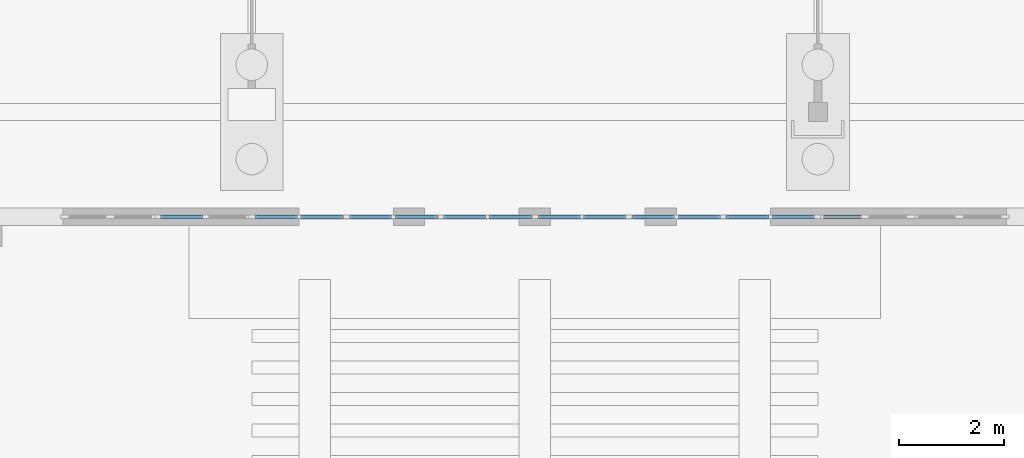
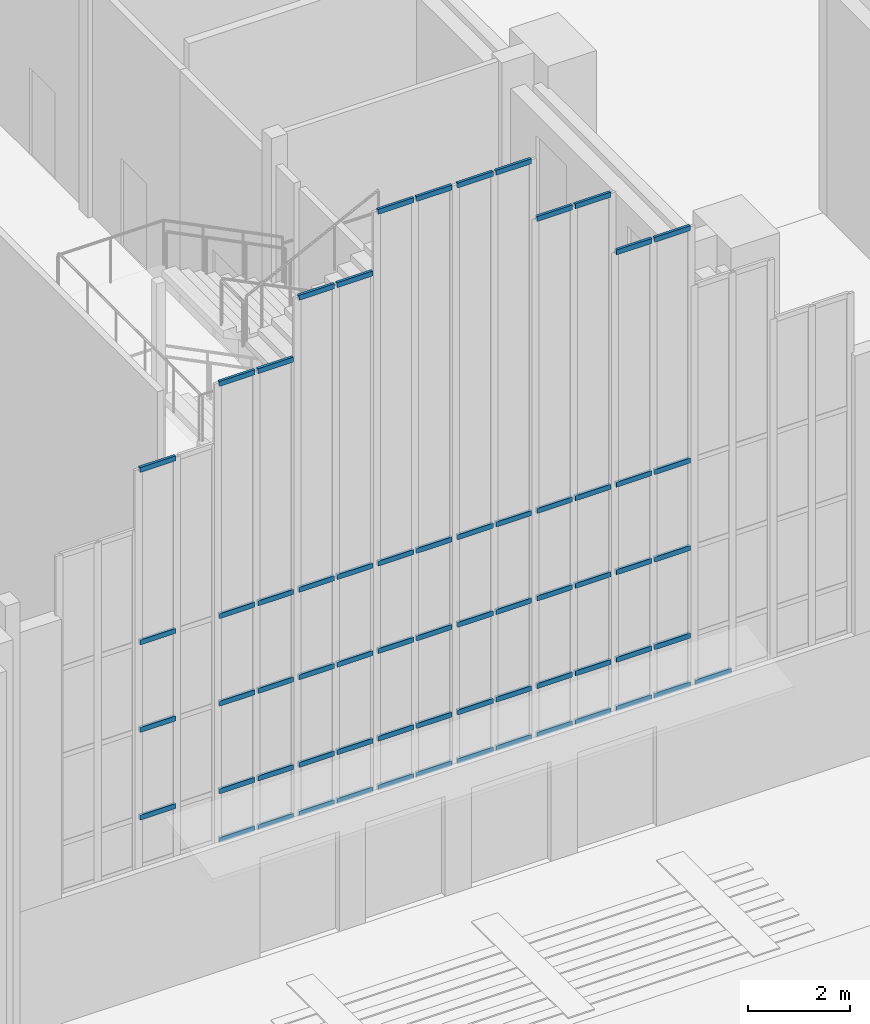
# One storey, part 17 of 84: 65 members, 8 elements without a shape of their own.
"""IFC4 building model written with IfcOpenShell, lengths in metres."""

from ifc_helpers import new_model, si_unit, direction, frame, origin, origin_2d, place, context, subcontext, project, spatial, rectangle, extrude, material, layer, layer_set, material_profile, profile_set, type_object, element, aggregate, save


model = new_model("IFC4")

# Units and contexts
model_context = context("Model", 3, precision=1e-05, world=origin(), true_north=direction((0.0, 1.0)))
body_context = subcontext(model_context, "Body", "Model", "MODEL_VIEW")
ifc_project = project(units=[si_unit("LENGTHUNIT", "METRE"), si_unit("AREAUNIT", "SQUARE_METRE"), si_unit("VOLUMEUNIT", "CUBIC_METRE"), si_unit("PLANEANGLEUNIT", "RADIAN"), si_unit("MASSUNIT", "GRAM", prefix="KILO")], contexts=[model_context])

# Site, building, storey
site_placement = place(None, origin())
site = spatial("IfcSite", under=ifc_project, at=site_placement, CompositionType="ELEMENT")
building_placement = place(site_placement, origin())
building = spatial("IfcBuilding", under=site, at=building_placement, Name="Mazhai Court Health Centre", CompositionType="ELEMENT")
storey_placement = place(building_placement, origin())
storey = spatial("IfcBuildingStorey", under=building, at=storey_placement, Name="L00", CompositionType="ELEMENT", Elevation=0.0)

# Curtain wall, members
ifc_material_1 = material(Name="Teak timber frame, glazed", Category="wood")
ifc_layer = layer(ifc_material_1, 0.10009765625)
ifc_layer_set = layer_set([ifc_layer], Name="CURTAIN WALL TIMBER 900")
curtain_wall_type = type_object("IfcCurtainWallType", Name="CURTAIN WALL TIMBER 900", PredefinedType="NOTDEFINED", material=ifc_layer_set)
curtain_wall_1_placement = place(storey_placement, origin())
curtain_wall_1 = element("IfcCurtainWall", 1, at=curtain_wall_1_placement, inside=storey, type_object=curtain_wall_type, Name="CW-V1-S02", PredefinedType="NOTDEFINED")
ifc_material_2 = material(Name="Teak timber", Category="wood")
ifc_material_profile = material_profile(ifc_material_2, rectangle(XDim=0.06005859375, YDim=0.1201171875, at=origin_2d()), Name="CW TRANSOM 60x120")
ifc_profile_set = profile_set([ifc_material_profile], Name="Teak timber")
member_type = type_object("IfcMemberType", Name="CW TRANSOM 60x120", PredefinedType="USERDEFINED", material=ifc_profile_set)
member_1_placement = place(storey_placement, frame((46.669921875, 11.39990234375, 4.199951171875), z_axis=(-1.0, 0.0, 0.0), x_axis=(0.0, -1.0, 0.0)))
member_1 = element("IfcMember", 2, at=member_1_placement, type_object=member_type, Name="CW transom 2.2", ObjectType="TRANSOM", PredefinedType="USERDEFINED", context=body_context, shape_type="SweptSolid", body=[
    extrude(rectangle(XDim=0.06005859375, YDim=0.1201171875, at=origin_2d()), origin(), (0.0, 0.0, 1.0), 0.809814453125),
])
member_2_placement = place(storey_placement, frame((46.669921875, 11.39990234375, 6.300048828125), z_axis=(-1.0, 0.0, 0.0), x_axis=(0.0, -1.0, 0.0)))
member_2 = element("IfcMember", 3, at=member_2_placement, type_object=member_type, Name="CW transom 2.3", ObjectType="TRANSOM", PredefinedType="USERDEFINED", context=body_context, shape_type="SweptSolid", body=[
    extrude(rectangle(XDim=0.06005859375, YDim=0.1201171875, at=origin_2d()), origin(), (0.0, 0.0, 1.0), 0.809814453125),
])
member_3_placement = place(storey_placement, frame((46.669921875, 11.39990234375, 8.39990234375), z_axis=(-1.0, 0.0, 0.0), x_axis=(0.0, -1.0, 0.0)))
member_3 = element("IfcMember", 4, at=member_3_placement, type_object=member_type, Name="CW transom 2.4", ObjectType="TRANSOM", PredefinedType="USERDEFINED", context=body_context, shape_type="SweptSolid", body=[
    extrude(rectangle(XDim=0.06005859375, YDim=0.1201171875, at=origin_2d()), origin(), (0.0, 0.0, 1.0), 0.809814453125),
])
member_4_placement = place(storey_placement, frame((46.669921875, 11.39990234375, 12.537109375), z_axis=(-1.0, 0.0, 0.0), x_axis=(0.0, -1.0, 0.0)))
member_4 = element("IfcMember", 5, at=member_4_placement, type_object=member_type, Name="CW transom 2.5", ObjectType="TRANSOM", PredefinedType="USERDEFINED", context=body_context, shape_type="SweptSolid", body=[
    extrude(rectangle(XDim=0.06005859375, YDim=0.1201171875, at=origin_2d()), origin(), (0.0, 0.0, 1.0), 0.809814453125),
])
aggregate(curtain_wall_1, [member_1, member_2, member_3, member_4])

curtain_wall_2_placement = place(storey_placement, origin())
curtain_wall_2 = element("IfcCurtainWall", 6, at=curtain_wall_2_placement, inside=storey, type_object=curtain_wall_type, Name="CW-V1-S03", PredefinedType="NOTDEFINED")
member_5_placement = place(storey_placement, frame((49.340087890625, 11.39990234375, 3.030029296875), z_axis=(-1.0, 0.0, 0.0), x_axis=(0.0, -1.0, 0.0)))
member_5 = element("IfcMember", 7, at=member_5_placement, type_object=member_type, Name="CW transom 1.1", ObjectType="TRANSOM", PredefinedType="USERDEFINED", context=body_context, shape_type="SweptSolid", body=[
    extrude(rectangle(XDim=0.06005859375, YDim=0.1201171875, at=origin_2d()), origin(), (0.0, 0.0, 1.0), 0.81005859375),
])
member_6_placement = place(storey_placement, frame((49.340087890625, 11.39990234375, 4.199951171875), z_axis=(-1.0, 0.0, 0.0), x_axis=(0.0, -1.0, 0.0)))
member_6 = element("IfcMember", 8, at=member_6_placement, type_object=member_type, Name="CW transom 1.2", ObjectType="TRANSOM", PredefinedType="USERDEFINED", context=body_context, shape_type="SweptSolid", body=[
    extrude(rectangle(XDim=0.06005859375, YDim=0.1201171875, at=origin_2d()), origin(), (0.0, 0.0, 1.0), 0.81005859375),
])
member_7_placement = place(storey_placement, frame((49.340087890625, 11.39990234375, 6.300048828125), z_axis=(-1.0, 0.0, 0.0), x_axis=(0.0, -1.0, 0.0)))
member_7 = element("IfcMember", 9, at=member_7_placement, type_object=member_type, Name="CW transom 1.3", ObjectType="TRANSOM", PredefinedType="USERDEFINED", context=body_context, shape_type="SweptSolid", body=[
    extrude(rectangle(XDim=0.06005859375, YDim=0.1201171875, at=origin_2d()), origin(), (0.0, 0.0, 1.0), 0.81005859375),
])
member_8_placement = place(storey_placement, frame((49.340087890625, 11.39990234375, 8.39990234375), z_axis=(-1.0, 0.0, 0.0), x_axis=(0.0, -1.0, 0.0)))
member_8 = element("IfcMember", 10, at=member_8_placement, type_object=member_type, Name="CW transom 1.4", ObjectType="TRANSOM", PredefinedType="USERDEFINED", context=body_context, shape_type="SweptSolid", body=[
    extrude(rectangle(XDim=0.06005859375, YDim=0.1201171875, at=origin_2d()), origin(), (0.0, 0.0, 1.0), 0.81005859375),
])
member_9_placement = place(storey_placement, frame((49.340087890625, 11.39990234375, 13.969970703125), z_axis=(-1.0, 0.0, 0.0), x_axis=(0.0, -1.0, 0.0)))
member_9 = element("IfcMember", 11, at=member_9_placement, type_object=member_type, Name="CW transom 1.5", ObjectType="TRANSOM", PredefinedType="USERDEFINED", context=body_context, shape_type="SweptSolid", body=[
    extrude(rectangle(XDim=0.06005859375, YDim=0.1201171875, at=origin_2d()), origin(), (0.0, 0.0, 1.0), 0.81005859375),
])
member_10_placement = place(storey_placement, frame((48.469970703125, 11.39990234375, 3.030029296875), z_axis=(-1.0, 0.0, 0.0), x_axis=(0.0, -1.0, 0.0)))
member_10 = element("IfcMember", 12, at=member_10_placement, type_object=member_type, Name="CW transom 2.1", ObjectType="TRANSOM", PredefinedType="USERDEFINED", context=body_context, shape_type="SweptSolid", body=[
    extrude(rectangle(XDim=0.06005859375, YDim=0.1201171875, at=origin_2d()), origin(), (0.0, 0.0, 1.0), 0.81005859375),
])
member_11_placement = place(storey_placement, frame((48.469970703125, 11.39990234375, 4.199951171875), z_axis=(-1.0, 0.0, 0.0), x_axis=(0.0, -1.0, 0.0)))
member_11 = element("IfcMember", 13, at=member_11_placement, type_object=member_type, Name="CW transom 2.2", ObjectType="TRANSOM", PredefinedType="USERDEFINED", context=body_context, shape_type="SweptSolid", body=[
    extrude(rectangle(XDim=0.06005859375, YDim=0.1201171875, at=origin_2d()), origin(), (0.0, 0.0, 1.0), 0.81005859375),
])
member_12_placement = place(storey_placement, frame((48.469970703125, 11.39990234375, 6.300048828125), z_axis=(-1.0, 0.0, 0.0), x_axis=(0.0, -1.0, 0.0)))
member_12 = element("IfcMember", 14, at=member_12_placement, type_object=member_type, Name="CW transom 2.3", ObjectType="TRANSOM", PredefinedType="USERDEFINED", context=body_context, shape_type="SweptSolid", body=[
    extrude(rectangle(XDim=0.06005859375, YDim=0.1201171875, at=origin_2d()), origin(), (0.0, 0.0, 1.0), 0.81005859375),
])
member_13_placement = place(storey_placement, frame((48.469970703125, 11.39990234375, 8.39990234375), z_axis=(-1.0, 0.0, 0.0), x_axis=(0.0, -1.0, 0.0)))
member_13 = element("IfcMember", 15, at=member_13_placement, type_object=member_type, Name="CW transom 2.4", ObjectType="TRANSOM", PredefinedType="USERDEFINED", context=body_context, shape_type="SweptSolid", body=[
    extrude(rectangle(XDim=0.06005859375, YDim=0.1201171875, at=origin_2d()), origin(), (0.0, 0.0, 1.0), 0.81005859375),
])
member_14_placement = place(storey_placement, frame((48.469970703125, 11.39990234375, 13.969970703125), z_axis=(-1.0, 0.0, 0.0), x_axis=(0.0, -1.0, 0.0)))
member_14 = element("IfcMember", 16, at=member_14_placement, type_object=member_type, Name="CW transom 2.5", ObjectType="TRANSOM", PredefinedType="USERDEFINED", context=body_context, shape_type="SweptSolid", body=[
    extrude(rectangle(XDim=0.06005859375, YDim=0.1201171875, at=origin_2d()), origin(), (0.0, 0.0, 1.0), 0.81005859375),
])
aggregate(curtain_wall_2, [member_5, member_6, member_7, member_8, member_9, member_10, member_11, member_12, member_13, member_14])

curtain_wall_3_placement = place(storey_placement, origin())
curtain_wall_3 = element("IfcCurtainWall", 17, at=curtain_wall_3_placement, inside=storey, type_object=curtain_wall_type, Name="CW-V1-S04", PredefinedType="NOTDEFINED")
member_15_placement = place(storey_placement, frame((51.139892578125, 11.39990234375, 3.030029296875), z_axis=(-1.0, 0.0, 0.0), x_axis=(0.0, -1.0, 0.0)))
member_15 = element("IfcMember", 18, at=member_15_placement, type_object=member_type, Name="CW transom 1.1", ObjectType="TRANSOM", PredefinedType="USERDEFINED", context=body_context, shape_type="SweptSolid", body=[
    extrude(rectangle(XDim=0.06005859375, YDim=0.1201171875, at=origin_2d()), origin(), (0.0, 0.0, 1.0), 0.809814453125),
])
member_16_placement = place(storey_placement, frame((51.139892578125, 11.39990234375, 4.199951171875), z_axis=(-1.0, 0.0, 0.0), x_axis=(0.0, -1.0, 0.0)))
member_16 = element("IfcMember", 19, at=member_16_placement, type_object=member_type, Name="CW transom 1.2", ObjectType="TRANSOM", PredefinedType="USERDEFINED", context=body_context, shape_type="SweptSolid", body=[
    extrude(rectangle(XDim=0.06005859375, YDim=0.1201171875, at=origin_2d()), origin(), (0.0, 0.0, 1.0), 0.809814453125),
])
member_17_placement = place(storey_placement, frame((51.139892578125, 11.39990234375, 6.300048828125), z_axis=(-1.0, 0.0, 0.0), x_axis=(0.0, -1.0, 0.0)))
member_17 = element("IfcMember", 20, at=member_17_placement, type_object=member_type, Name="CW transom 1.3", ObjectType="TRANSOM", PredefinedType="USERDEFINED", context=body_context, shape_type="SweptSolid", body=[
    extrude(rectangle(XDim=0.06005859375, YDim=0.1201171875, at=origin_2d()), origin(), (0.0, 0.0, 1.0), 0.809814453125),
])
member_18_placement = place(storey_placement, frame((51.139892578125, 11.39990234375, 8.39990234375), z_axis=(-1.0, 0.0, 0.0), x_axis=(0.0, -1.0, 0.0)))
member_18 = element("IfcMember", 21, at=member_18_placement, type_object=member_type, Name="CW transom 1.4", ObjectType="TRANSOM", PredefinedType="USERDEFINED", context=body_context, shape_type="SweptSolid", body=[
    extrude(rectangle(XDim=0.06005859375, YDim=0.1201171875, at=origin_2d()), origin(), (0.0, 0.0, 1.0), 0.809814453125),
])
member_19_placement = place(storey_placement, frame((51.139892578125, 11.39990234375, 15.403076171875), z_axis=(-1.0, 0.0, 0.0), x_axis=(0.0, -1.0, 0.0)))
member_19 = element("IfcMember", 22, at=member_19_placement, type_object=member_type, Name="CW transom 1.5", ObjectType="TRANSOM", PredefinedType="USERDEFINED", context=body_context, shape_type="SweptSolid", body=[
    extrude(rectangle(XDim=0.06005859375, YDim=0.1201171875, at=origin_2d()), origin(), (0.0, 0.0, 1.0), 0.809814453125),
])
member_20_placement = place(storey_placement, frame((50.27001953125, 11.39990234375, 3.030029296875), z_axis=(-1.0, 0.0, 0.0), x_axis=(0.0, -1.0, 0.0)))
member_20 = element("IfcMember", 23, at=member_20_placement, type_object=member_type, Name="CW transom 2.1", ObjectType="TRANSOM", PredefinedType="USERDEFINED", context=body_context, shape_type="SweptSolid", body=[
    extrude(rectangle(XDim=0.06005859375, YDim=0.1201171875, at=origin_2d()), origin(), (0.0, 0.0, 1.0), 0.81005859375),
])
member_21_placement = place(storey_placement, frame((50.27001953125, 11.39990234375, 4.199951171875), z_axis=(-1.0, 0.0, 0.0), x_axis=(0.0, -1.0, 0.0)))
member_21 = element("IfcMember", 24, at=member_21_placement, type_object=member_type, Name="CW transom 2.2", ObjectType="TRANSOM", PredefinedType="USERDEFINED", context=body_context, shape_type="SweptSolid", body=[
    extrude(rectangle(XDim=0.06005859375, YDim=0.1201171875, at=origin_2d()), origin(), (0.0, 0.0, 1.0), 0.81005859375),
])
member_22_placement = place(storey_placement, frame((50.27001953125, 11.39990234375, 6.300048828125), z_axis=(-1.0, 0.0, 0.0), x_axis=(0.0, -1.0, 0.0)))
member_22 = element("IfcMember", 25, at=member_22_placement, type_object=member_type, Name="CW transom 2.3", ObjectType="TRANSOM", PredefinedType="USERDEFINED", context=body_context, shape_type="SweptSolid", body=[
    extrude(rectangle(XDim=0.06005859375, YDim=0.1201171875, at=origin_2d()), origin(), (0.0, 0.0, 1.0), 0.81005859375),
])
member_23_placement = place(storey_placement, frame((50.27001953125, 11.39990234375, 8.39990234375), z_axis=(-1.0, 0.0, 0.0), x_axis=(0.0, -1.0, 0.0)))
member_23 = element("IfcMember", 26, at=member_23_placement, type_object=member_type, Name="CW transom 2.4", ObjectType="TRANSOM", PredefinedType="USERDEFINED", context=body_context, shape_type="SweptSolid", body=[
    extrude(rectangle(XDim=0.06005859375, YDim=0.1201171875, at=origin_2d()), origin(), (0.0, 0.0, 1.0), 0.81005859375),
])
member_24_placement = place(storey_placement, frame((50.27001953125, 11.39990234375, 15.403076171875), z_axis=(-1.0, 0.0, 0.0), x_axis=(0.0, -1.0, 0.0)))
member_24 = element("IfcMember", 27, at=member_24_placement, type_object=member_type, Name="CW transom 2.5", ObjectType="TRANSOM", PredefinedType="USERDEFINED", context=body_context, shape_type="SweptSolid", body=[
    extrude(rectangle(XDim=0.06005859375, YDim=0.1201171875, at=origin_2d()), origin(), (0.0, 0.0, 1.0), 0.81005859375),
])
aggregate(curtain_wall_3, [member_15, member_16, member_17, member_18, member_19, member_20, member_21, member_22, member_23, member_24])

curtain_wall_4_placement = place(storey_placement, origin())
curtain_wall_4 = element("IfcCurtainWall", 28, at=curtain_wall_4_placement, inside=storey, type_object=curtain_wall_type, Name="CW-V1-S05", PredefinedType="NOTDEFINED")
member_25_placement = place(storey_placement, frame((52.93994140625, 11.39990234375, 3.030029296875), z_axis=(-1.0, 0.0, 0.0), x_axis=(0.0, -1.0, 0.0)))
member_25 = element("IfcMember", 29, at=member_25_placement, type_object=member_type, Name="CW transom 1.1", ObjectType="TRANSOM", PredefinedType="USERDEFINED", context=body_context, shape_type="SweptSolid", body=[
    extrude(rectangle(XDim=0.06005859375, YDim=0.1201171875, at=origin_2d()), origin(), (0.0, 0.0, 1.0), 0.81005859375),
])
member_26_placement = place(storey_placement, frame((52.93994140625, 11.39990234375, 4.199951171875), z_axis=(-1.0, 0.0, 0.0), x_axis=(0.0, -1.0, 0.0)))
member_26 = element("IfcMember", 30, at=member_26_placement, type_object=member_type, Name="CW transom 1.2", ObjectType="TRANSOM", PredefinedType="USERDEFINED", context=body_context, shape_type="SweptSolid", body=[
    extrude(rectangle(XDim=0.06005859375, YDim=0.1201171875, at=origin_2d()), origin(), (0.0, 0.0, 1.0), 0.81005859375),
])
member_27_placement = place(storey_placement, frame((52.93994140625, 11.39990234375, 6.300048828125), z_axis=(-1.0, 0.0, 0.0), x_axis=(0.0, -1.0, 0.0)))
member_27 = element("IfcMember", 31, at=member_27_placement, type_object=member_type, Name="CW transom 1.3", ObjectType="TRANSOM", PredefinedType="USERDEFINED", context=body_context, shape_type="SweptSolid", body=[
    extrude(rectangle(XDim=0.06005859375, YDim=0.1201171875, at=origin_2d()), origin(), (0.0, 0.0, 1.0), 0.81005859375),
])
member_28_placement = place(storey_placement, frame((52.93994140625, 11.39990234375, 8.39990234375), z_axis=(-1.0, 0.0, 0.0), x_axis=(0.0, -1.0, 0.0)))
member_28 = element("IfcMember", 32, at=member_28_placement, type_object=member_type, Name="CW transom 1.4", ObjectType="TRANSOM", PredefinedType="USERDEFINED", context=body_context, shape_type="SweptSolid", body=[
    extrude(rectangle(XDim=0.06005859375, YDim=0.1201171875, at=origin_2d()), origin(), (0.0, 0.0, 1.0), 0.81005859375),
])
member_29_placement = place(storey_placement, frame((52.93994140625, 11.39990234375, 16.8369140625), z_axis=(-1.0, 0.0, 0.0), x_axis=(0.0, -1.0, 0.0)))
member_29 = element("IfcMember", 33, at=member_29_placement, type_object=member_type, Name="CW transom 1.5", ObjectType="TRANSOM", PredefinedType="USERDEFINED", context=body_context, shape_type="SweptSolid", body=[
    extrude(rectangle(XDim=0.06005859375, YDim=0.1201171875, at=origin_2d()), origin(), (0.0, 0.0, 1.0), 0.81005859375),
])
member_30_placement = place(storey_placement, frame((52.070068359375, 11.39990234375, 3.030029296875), z_axis=(-1.0, 0.0, 0.0), x_axis=(0.0, -1.0, 0.0)))
member_30 = element("IfcMember", 34, at=member_30_placement, type_object=member_type, Name="CW transom 2.1", ObjectType="TRANSOM", PredefinedType="USERDEFINED", context=body_context, shape_type="SweptSolid", body=[
    extrude(rectangle(XDim=0.06005859375, YDim=0.1201171875, at=origin_2d()), origin(), (0.0, 0.0, 1.0), 0.81005859375),
])
member_31_placement = place(storey_placement, frame((52.070068359375, 11.39990234375, 4.199951171875), z_axis=(-1.0, 0.0, 0.0), x_axis=(0.0, -1.0, 0.0)))
member_31 = element("IfcMember", 35, at=member_31_placement, type_object=member_type, Name="CW transom 2.2", ObjectType="TRANSOM", PredefinedType="USERDEFINED", context=body_context, shape_type="SweptSolid", body=[
    extrude(rectangle(XDim=0.06005859375, YDim=0.1201171875, at=origin_2d()), origin(), (0.0, 0.0, 1.0), 0.81005859375),
])
member_32_placement = place(storey_placement, frame((52.070068359375, 11.39990234375, 6.300048828125), z_axis=(-1.0, 0.0, 0.0), x_axis=(0.0, -1.0, 0.0)))
member_32 = element("IfcMember", 36, at=member_32_placement, type_object=member_type, Name="CW transom 2.3", ObjectType="TRANSOM", PredefinedType="USERDEFINED", context=body_context, shape_type="SweptSolid", body=[
    extrude(rectangle(XDim=0.06005859375, YDim=0.1201171875, at=origin_2d()), origin(), (0.0, 0.0, 1.0), 0.81005859375),
])
member_33_placement = place(storey_placement, frame((52.070068359375, 11.39990234375, 8.39990234375), z_axis=(-1.0, 0.0, 0.0), x_axis=(0.0, -1.0, 0.0)))
member_33 = element("IfcMember", 37, at=member_33_placement, type_object=member_type, Name="CW transom 2.4", ObjectType="TRANSOM", PredefinedType="USERDEFINED", context=body_context, shape_type="SweptSolid", body=[
    extrude(rectangle(XDim=0.06005859375, YDim=0.1201171875, at=origin_2d()), origin(), (0.0, 0.0, 1.0), 0.81005859375),
])
member_34_placement = place(storey_placement, frame((52.070068359375, 11.39990234375, 16.8369140625), z_axis=(-1.0, 0.0, 0.0), x_axis=(0.0, -1.0, 0.0)))
member_34 = element("IfcMember", 38, at=member_34_placement, type_object=member_type, Name="CW transom 2.5", ObjectType="TRANSOM", PredefinedType="USERDEFINED", context=body_context, shape_type="SweptSolid", body=[
    extrude(rectangle(XDim=0.06005859375, YDim=0.1201171875, at=origin_2d()), origin(), (0.0, 0.0, 1.0), 0.81005859375),
])
aggregate(curtain_wall_4, [member_25, member_26, member_27, member_28, member_29, member_30, member_31, member_32, member_33, member_34])

curtain_wall_5_placement = place(storey_placement, origin())
curtain_wall_5 = element("IfcCurtainWall", 39, at=curtain_wall_5_placement, inside=storey, type_object=curtain_wall_type, Name="CW-V1-S06", PredefinedType="NOTDEFINED")
member_35_placement = place(storey_placement, frame((54.739990234375, 11.39990234375, 3.030029296875), z_axis=(-1.0, 0.0, 0.0), x_axis=(0.0, -1.0, 0.0)))
member_35 = element("IfcMember", 40, at=member_35_placement, type_object=member_type, Name="CW transom 1.1", ObjectType="TRANSOM", PredefinedType="USERDEFINED", context=body_context, shape_type="SweptSolid", body=[
    extrude(rectangle(XDim=0.06005859375, YDim=0.1201171875, at=origin_2d()), origin(), (0.0, 0.0, 1.0), 0.81005859375),
])
member_36_placement = place(storey_placement, frame((54.739990234375, 11.39990234375, 4.199951171875), z_axis=(-1.0, 0.0, 0.0), x_axis=(0.0, -1.0, 0.0)))
member_36 = element("IfcMember", 41, at=member_36_placement, type_object=member_type, Name="CW transom 1.2", ObjectType="TRANSOM", PredefinedType="USERDEFINED", context=body_context, shape_type="SweptSolid", body=[
    extrude(rectangle(XDim=0.06005859375, YDim=0.1201171875, at=origin_2d()), origin(), (0.0, 0.0, 1.0), 0.81005859375),
])
member_37_placement = place(storey_placement, frame((54.739990234375, 11.39990234375, 6.300048828125), z_axis=(-1.0, 0.0, 0.0), x_axis=(0.0, -1.0, 0.0)))
member_37 = element("IfcMember", 42, at=member_37_placement, type_object=member_type, Name="CW transom 1.3", ObjectType="TRANSOM", PredefinedType="USERDEFINED", context=body_context, shape_type="SweptSolid", body=[
    extrude(rectangle(XDim=0.06005859375, YDim=0.1201171875, at=origin_2d()), origin(), (0.0, 0.0, 1.0), 0.81005859375),
])
member_38_placement = place(storey_placement, frame((54.739990234375, 11.39990234375, 8.39990234375), z_axis=(-1.0, 0.0, 0.0), x_axis=(0.0, -1.0, 0.0)))
member_38 = element("IfcMember", 43, at=member_38_placement, type_object=member_type, Name="CW transom 1.4", ObjectType="TRANSOM", PredefinedType="USERDEFINED", context=body_context, shape_type="SweptSolid", body=[
    extrude(rectangle(XDim=0.06005859375, YDim=0.1201171875, at=origin_2d()), origin(), (0.0, 0.0, 1.0), 0.81005859375),
])
member_39_placement = place(storey_placement, frame((54.739990234375, 11.39990234375, 16.8369140625), z_axis=(-1.0, 0.0, 0.0), x_axis=(0.0, -1.0, 0.0)))
member_39 = element("IfcMember", 44, at=member_39_placement, type_object=member_type, Name="CW transom 1.5", ObjectType="TRANSOM", PredefinedType="USERDEFINED", context=body_context, shape_type="SweptSolid", body=[
    extrude(rectangle(XDim=0.06005859375, YDim=0.1201171875, at=origin_2d()), origin(), (0.0, 0.0, 1.0), 0.81005859375),
])
member_40_placement = place(storey_placement, frame((53.8701171875, 11.39990234375, 3.030029296875), z_axis=(-1.0, 0.0, 0.0), x_axis=(0.0, -1.0, 0.0)))
member_40 = element("IfcMember", 45, at=member_40_placement, type_object=member_type, Name="CW transom 2.1", ObjectType="TRANSOM", PredefinedType="USERDEFINED", context=body_context, shape_type="SweptSolid", body=[
    extrude(rectangle(XDim=0.06005859375, YDim=0.1201171875, at=origin_2d()), origin(), (0.0, 0.0, 1.0), 0.81005859375),
])
member_41_placement = place(storey_placement, frame((53.8701171875, 11.39990234375, 4.199951171875), z_axis=(-1.0, 0.0, 0.0), x_axis=(0.0, -1.0, 0.0)))
member_41 = element("IfcMember", 46, at=member_41_placement, type_object=member_type, Name="CW transom 2.2", ObjectType="TRANSOM", PredefinedType="USERDEFINED", context=body_context, shape_type="SweptSolid", body=[
    extrude(rectangle(XDim=0.06005859375, YDim=0.1201171875, at=origin_2d()), origin(), (0.0, 0.0, 1.0), 0.81005859375),
])
member_42_placement = place(storey_placement, frame((53.8701171875, 11.39990234375, 6.300048828125), z_axis=(-1.0, 0.0, 0.0), x_axis=(0.0, -1.0, 0.0)))
member_42 = element("IfcMember", 47, at=member_42_placement, type_object=member_type, Name="CW transom 2.3", ObjectType="TRANSOM", PredefinedType="USERDEFINED", context=body_context, shape_type="SweptSolid", body=[
    extrude(rectangle(XDim=0.06005859375, YDim=0.1201171875, at=origin_2d()), origin(), (0.0, 0.0, 1.0), 0.81005859375),
])
member_43_placement = place(storey_placement, frame((53.8701171875, 11.39990234375, 8.39990234375), z_axis=(-1.0, 0.0, 0.0), x_axis=(0.0, -1.0, 0.0)))
member_43 = element("IfcMember", 48, at=member_43_placement, type_object=member_type, Name="CW transom 2.4", ObjectType="TRANSOM", PredefinedType="USERDEFINED", context=body_context, shape_type="SweptSolid", body=[
    extrude(rectangle(XDim=0.06005859375, YDim=0.1201171875, at=origin_2d()), origin(), (0.0, 0.0, 1.0), 0.81005859375),
])
member_44_placement = place(storey_placement, frame((53.8701171875, 11.39990234375, 16.8369140625), z_axis=(-1.0, 0.0, 0.0), x_axis=(0.0, -1.0, 0.0)))
member_44 = element("IfcMember", 49, at=member_44_placement, type_object=member_type, Name="CW transom 2.5", ObjectType="TRANSOM", PredefinedType="USERDEFINED", context=body_context, shape_type="SweptSolid", body=[
    extrude(rectangle(XDim=0.06005859375, YDim=0.1201171875, at=origin_2d()), origin(), (0.0, 0.0, 1.0), 0.81005859375),
])
aggregate(curtain_wall_5, [member_35, member_36, member_37, member_38, member_39, member_40, member_41, member_42, member_43, member_44])

curtain_wall_6_placement = place(storey_placement, origin())
curtain_wall_6 = element("IfcCurtainWall", 50, at=curtain_wall_6_placement, inside=storey, type_object=curtain_wall_type, Name="CW-V1-S07", PredefinedType="NOTDEFINED")
member_45_placement = place(storey_placement, frame((56.5400390625, 11.39990234375, 3.030029296875), z_axis=(-1.0, 0.0, 0.0), x_axis=(0.0, -1.0, 0.0)))
member_45 = element("IfcMember", 51, at=member_45_placement, type_object=member_type, Name="CW transom 1.1", ObjectType="TRANSOM", PredefinedType="USERDEFINED", context=body_context, shape_type="SweptSolid", body=[
    extrude(rectangle(XDim=0.06005859375, YDim=0.1201171875, at=origin_2d()), origin(), (0.0, 0.0, 1.0), 0.81005859375),
])
member_46_placement = place(storey_placement, frame((56.5400390625, 11.39990234375, 4.199951171875), z_axis=(-1.0, 0.0, 0.0), x_axis=(0.0, -1.0, 0.0)))
member_46 = element("IfcMember", 52, at=member_46_placement, type_object=member_type, Name="CW transom 1.2", ObjectType="TRANSOM", PredefinedType="USERDEFINED", context=body_context, shape_type="SweptSolid", body=[
    extrude(rectangle(XDim=0.06005859375, YDim=0.1201171875, at=origin_2d()), origin(), (0.0, 0.0, 1.0), 0.81005859375),
])
member_47_placement = place(storey_placement, frame((56.5400390625, 11.39990234375, 6.300048828125), z_axis=(-1.0, 0.0, 0.0), x_axis=(0.0, -1.0, 0.0)))
member_47 = element("IfcMember", 53, at=member_47_placement, type_object=member_type, Name="CW transom 1.3", ObjectType="TRANSOM", PredefinedType="USERDEFINED", context=body_context, shape_type="SweptSolid", body=[
    extrude(rectangle(XDim=0.06005859375, YDim=0.1201171875, at=origin_2d()), origin(), (0.0, 0.0, 1.0), 0.81005859375),
])
member_48_placement = place(storey_placement, frame((56.5400390625, 11.39990234375, 8.39990234375), z_axis=(-1.0, 0.0, 0.0), x_axis=(0.0, -1.0, 0.0)))
member_48 = element("IfcMember", 54, at=member_48_placement, type_object=member_type, Name="CW transom 1.4", ObjectType="TRANSOM", PredefinedType="USERDEFINED", context=body_context, shape_type="SweptSolid", body=[
    extrude(rectangle(XDim=0.06005859375, YDim=0.1201171875, at=origin_2d()), origin(), (0.0, 0.0, 1.0), 0.81005859375),
])
member_49_placement = place(storey_placement, frame((56.5400390625, 11.39990234375, 15.403076171875), z_axis=(-1.0, 0.0, 0.0), x_axis=(0.0, -1.0, 0.0)))
member_49 = element("IfcMember", 55, at=member_49_placement, type_object=member_type, Name="CW transom 1.5", ObjectType="TRANSOM", PredefinedType="USERDEFINED", context=body_context, shape_type="SweptSolid", body=[
    extrude(rectangle(XDim=0.06005859375, YDim=0.1201171875, at=origin_2d()), origin(), (0.0, 0.0, 1.0), 0.81005859375),
])
member_50_placement = place(storey_placement, frame((55.669921875, 11.39990234375, 3.030029296875), z_axis=(-1.0, 0.0, 0.0), x_axis=(0.0, -1.0, 0.0)))
member_50 = element("IfcMember", 56, at=member_50_placement, type_object=member_type, Name="CW transom 2.1", ObjectType="TRANSOM", PredefinedType="USERDEFINED", context=body_context, shape_type="SweptSolid", body=[
    extrude(rectangle(XDim=0.06005859375, YDim=0.1201171875, at=origin_2d()), origin(), (0.0, 0.0, 1.0), 0.809814453125),
])
member_51_placement = place(storey_placement, frame((55.669921875, 11.39990234375, 4.199951171875), z_axis=(-1.0, 0.0, 0.0), x_axis=(0.0, -1.0, 0.0)))
member_51 = element("IfcMember", 57, at=member_51_placement, type_object=member_type, Name="CW transom 2.2", ObjectType="TRANSOM", PredefinedType="USERDEFINED", context=body_context, shape_type="SweptSolid", body=[
    extrude(rectangle(XDim=0.06005859375, YDim=0.1201171875, at=origin_2d()), origin(), (0.0, 0.0, 1.0), 0.809814453125),
])
member_52_placement = place(storey_placement, frame((55.669921875, 11.39990234375, 6.300048828125), z_axis=(-1.0, 0.0, 0.0), x_axis=(0.0, -1.0, 0.0)))
member_52 = element("IfcMember", 58, at=member_52_placement, type_object=member_type, Name="CW transom 2.3", ObjectType="TRANSOM", PredefinedType="USERDEFINED", context=body_context, shape_type="SweptSolid", body=[
    extrude(rectangle(XDim=0.06005859375, YDim=0.1201171875, at=origin_2d()), origin(), (0.0, 0.0, 1.0), 0.809814453125),
])
member_53_placement = place(storey_placement, frame((55.669921875, 11.39990234375, 8.39990234375), z_axis=(-1.0, 0.0, 0.0), x_axis=(0.0, -1.0, 0.0)))
member_53 = element("IfcMember", 59, at=member_53_placement, type_object=member_type, Name="CW transom 2.4", ObjectType="TRANSOM", PredefinedType="USERDEFINED", context=body_context, shape_type="SweptSolid", body=[
    extrude(rectangle(XDim=0.06005859375, YDim=0.1201171875, at=origin_2d()), origin(), (0.0, 0.0, 1.0), 0.809814453125),
])
member_54_placement = place(storey_placement, frame((55.669921875, 11.39990234375, 15.403076171875), z_axis=(-1.0, 0.0, 0.0), x_axis=(0.0, -1.0, 0.0)))
member_54 = element("IfcMember", 60, at=member_54_placement, type_object=member_type, Name="CW transom 2.5", ObjectType="TRANSOM", PredefinedType="USERDEFINED", context=body_context, shape_type="SweptSolid", body=[
    extrude(rectangle(XDim=0.06005859375, YDim=0.1201171875, at=origin_2d()), origin(), (0.0, 0.0, 1.0), 0.809814453125),
])
aggregate(curtain_wall_6, [member_45, member_46, member_47, member_48, member_49, member_50, member_51, member_52, member_53, member_54])

curtain_wall_7_placement = place(storey_placement, origin())
curtain_wall_7 = element("IfcCurtainWall", 61, at=curtain_wall_7_placement, inside=storey, type_object=curtain_wall_type, Name="CW-V1-S08", PredefinedType="NOTDEFINED")
member_55_placement = place(storey_placement, frame((58.340087890625, 11.39990234375, 3.030029296875), z_axis=(-1.0, 0.0, 0.0), x_axis=(0.0, -1.0, 0.0)))
member_55 = element("IfcMember", 62, at=member_55_placement, type_object=member_type, Name="CW transom 1.1", ObjectType="TRANSOM", PredefinedType="USERDEFINED", context=body_context, shape_type="SweptSolid", body=[
    extrude(rectangle(XDim=0.06005859375, YDim=0.1201171875, at=origin_2d()), origin(), (0.0, 0.0, 1.0), 0.81005859375),
])
member_56_placement = place(storey_placement, frame((58.340087890625, 11.39990234375, 4.199951171875), z_axis=(-1.0, 0.0, 0.0), x_axis=(0.0, -1.0, 0.0)))
member_56 = element("IfcMember", 63, at=member_56_placement, type_object=member_type, Name="CW transom 1.2", ObjectType="TRANSOM", PredefinedType="USERDEFINED", context=body_context, shape_type="SweptSolid", body=[
    extrude(rectangle(XDim=0.06005859375, YDim=0.1201171875, at=origin_2d()), origin(), (0.0, 0.0, 1.0), 0.81005859375),
])
member_57_placement = place(storey_placement, frame((58.340087890625, 11.39990234375, 6.300048828125), z_axis=(-1.0, 0.0, 0.0), x_axis=(0.0, -1.0, 0.0)))
member_57 = element("IfcMember", 64, at=member_57_placement, type_object=member_type, Name="CW transom 1.3", ObjectType="TRANSOM", PredefinedType="USERDEFINED", context=body_context, shape_type="SweptSolid", body=[
    extrude(rectangle(XDim=0.06005859375, YDim=0.1201171875, at=origin_2d()), origin(), (0.0, 0.0, 1.0), 0.81005859375),
])
member_58_placement = place(storey_placement, frame((58.340087890625, 11.39990234375, 8.39990234375), z_axis=(-1.0, 0.0, 0.0), x_axis=(0.0, -1.0, 0.0)))
member_58 = element("IfcMember", 65, at=member_58_placement, type_object=member_type, Name="CW transom 1.4", ObjectType="TRANSOM", PredefinedType="USERDEFINED", context=body_context, shape_type="SweptSolid", body=[
    extrude(rectangle(XDim=0.06005859375, YDim=0.1201171875, at=origin_2d()), origin(), (0.0, 0.0, 1.0), 0.81005859375),
])
member_59_placement = place(storey_placement, frame((58.340087890625, 11.39990234375, 13.969970703125), z_axis=(-1.0, 0.0, 0.0), x_axis=(0.0, -1.0, 0.0)))
member_59 = element("IfcMember", 66, at=member_59_placement, type_object=member_type, Name="CW transom 1.5", ObjectType="TRANSOM", PredefinedType="USERDEFINED", context=body_context, shape_type="SweptSolid", body=[
    extrude(rectangle(XDim=0.06005859375, YDim=0.1201171875, at=origin_2d()), origin(), (0.0, 0.0, 1.0), 0.81005859375),
])
member_60_placement = place(storey_placement, frame((57.469970703125, 11.39990234375, 3.030029296875), z_axis=(-1.0, 0.0, 0.0), x_axis=(0.0, -1.0, 0.0)))
member_60 = element("IfcMember", 67, at=member_60_placement, type_object=member_type, Name="CW transom 2.1", ObjectType="TRANSOM", PredefinedType="USERDEFINED", context=body_context, shape_type="SweptSolid", body=[
    extrude(rectangle(XDim=0.06005859375, YDim=0.1201171875, at=origin_2d()), origin(), (0.0, 0.0, 1.0), 0.81005859375),
])
member_61_placement = place(storey_placement, frame((57.469970703125, 11.39990234375, 4.199951171875), z_axis=(-1.0, 0.0, 0.0), x_axis=(0.0, -1.0, 0.0)))
member_61 = element("IfcMember", 68, at=member_61_placement, type_object=member_type, Name="CW transom 2.2", ObjectType="TRANSOM", PredefinedType="USERDEFINED", context=body_context, shape_type="SweptSolid", body=[
    extrude(rectangle(XDim=0.06005859375, YDim=0.1201171875, at=origin_2d()), origin(), (0.0, 0.0, 1.0), 0.81005859375),
])
member_62_placement = place(storey_placement, frame((57.469970703125, 11.39990234375, 6.300048828125), z_axis=(-1.0, 0.0, 0.0), x_axis=(0.0, -1.0, 0.0)))
member_62 = element("IfcMember", 69, at=member_62_placement, type_object=member_type, Name="CW transom 2.3", ObjectType="TRANSOM", PredefinedType="USERDEFINED", context=body_context, shape_type="SweptSolid", body=[
    extrude(rectangle(XDim=0.06005859375, YDim=0.1201171875, at=origin_2d()), origin(), (0.0, 0.0, 1.0), 0.81005859375),
])
member_63_placement = place(storey_placement, frame((57.469970703125, 11.39990234375, 8.39990234375), z_axis=(-1.0, 0.0, 0.0), x_axis=(0.0, -1.0, 0.0)))
member_63 = element("IfcMember", 70, at=member_63_placement, type_object=member_type, Name="CW transom 2.4", ObjectType="TRANSOM", PredefinedType="USERDEFINED", context=body_context, shape_type="SweptSolid", body=[
    extrude(rectangle(XDim=0.06005859375, YDim=0.1201171875, at=origin_2d()), origin(), (0.0, 0.0, 1.0), 0.81005859375),
])
member_64_placement = place(storey_placement, frame((57.469970703125, 11.39990234375, 13.969970703125), z_axis=(-1.0, 0.0, 0.0), x_axis=(0.0, -1.0, 0.0)))
member_64 = element("IfcMember", 71, at=member_64_placement, type_object=member_type, Name="CW transom 2.5", ObjectType="TRANSOM", PredefinedType="USERDEFINED", context=body_context, shape_type="SweptSolid", body=[
    extrude(rectangle(XDim=0.06005859375, YDim=0.1201171875, at=origin_2d()), origin(), (0.0, 0.0, 1.0), 0.81005859375),
])
aggregate(curtain_wall_7, [member_55, member_56, member_57, member_58, member_59, member_60, member_61, member_62, member_63, member_64])

# Curtain wall, member
curtain_wall_8_placement = place(storey_placement, origin())
curtain_wall_8 = element("IfcCurtainWall", 72, at=curtain_wall_8_placement, inside=storey, type_object=curtain_wall_type, Name="CW-V1-S09", PredefinedType="NOTDEFINED")
member_65_placement = place(storey_placement, frame((59.27001953125, 11.39990234375, 3.030029296875), z_axis=(-1.0, 0.0, 0.0), x_axis=(0.0, -1.0, 0.0)))
member_65 = element("IfcMember", 73, at=member_65_placement, type_object=member_type, Name="CW transom 2.1", ObjectType="TRANSOM", PredefinedType="USERDEFINED", context=body_context, shape_type="SweptSolid", body=[
    extrude(rectangle(XDim=0.06005859375, YDim=0.1201171875, at=origin_2d()), origin(), (0.0, 0.0, 1.0), 0.81005859375),
])
aggregate(curtain_wall_8, [member_65])

save(model, "model.ifc")
